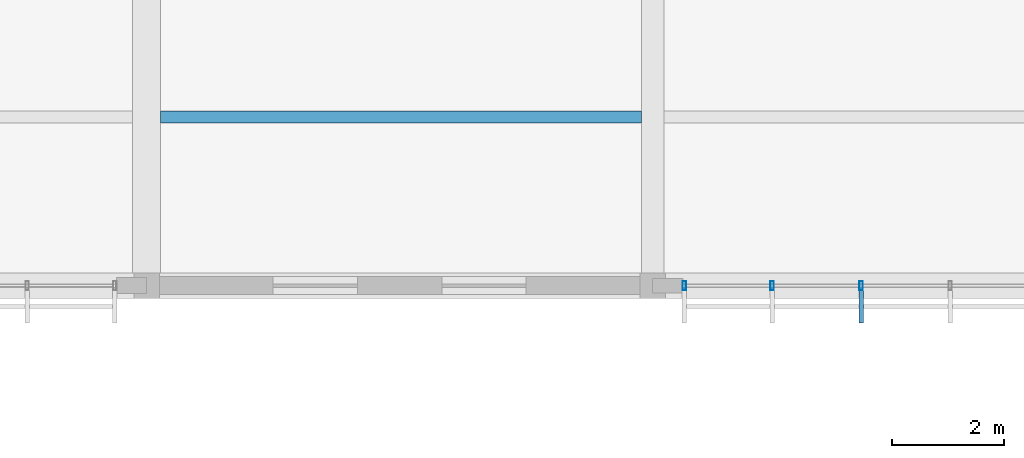
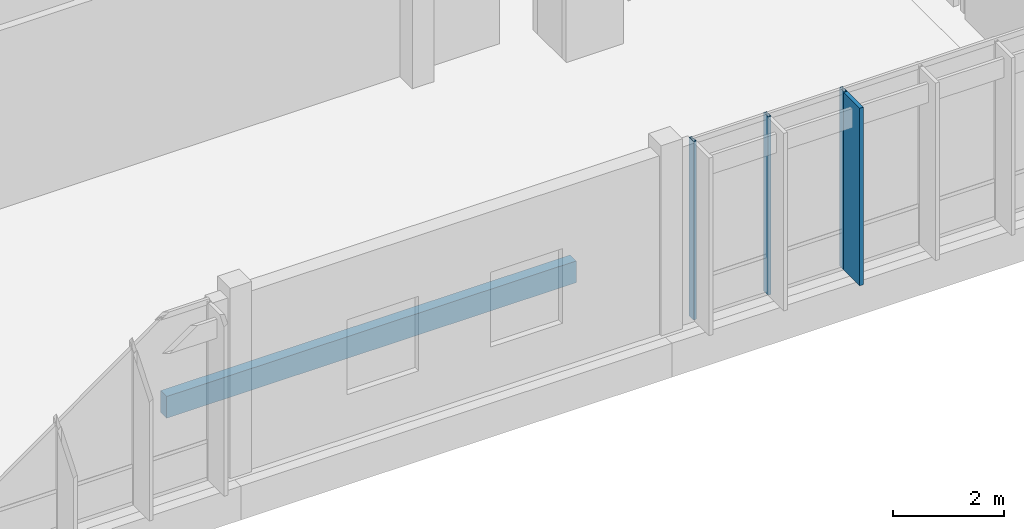
# One storey, part 46 of 94: 4 members, 1 beam, 1 element without a shape of its own.
"""IFC4 building model written with IfcOpenShell, lengths in metres."""

from ifc_helpers import new_model, si_unit, direction, frame, origin, origin_2d, place, context, subcontext, project, spatial, rectangle, hollow_rectangle, extrude, material, material_profile, profile_set, type_object, element, aggregate, save


model = new_model("IFC4")

# Units and contexts
model_context = context("Model", 3, precision=1e-05, world=origin(), true_north=direction((0.0, 1.0)))
body_context = subcontext(model_context, "Body", "Model", "MODEL_VIEW")
ifc_project = project(units=[si_unit("LENGTHUNIT", "METRE"), si_unit("AREAUNIT", "SQUARE_METRE"), si_unit("VOLUMEUNIT", "CUBIC_METRE"), si_unit("PLANEANGLEUNIT", "RADIAN"), si_unit("MASSUNIT", "GRAM", prefix="KILO")], contexts=[model_context])

# Site, building, storey
site_placement = place(None, origin())
site = spatial("IfcSite", under=ifc_project, at=site_placement, CompositionType="ELEMENT")
building_placement = place(site_placement, origin())
building = spatial("IfcBuilding", under=site, at=building_placement, Name="Chiffa Square Polytechnic", CompositionType="ELEMENT")
storey_placement = place(building_placement, frame((0.0, 0.0, 18.0)))
storey = spatial("IfcBuildingStorey", under=building, at=storey_placement, Name="L04", CompositionType="ELEMENT", Elevation=18.0)

# Curtain wall, members
ifc_material_1 = material(Name="Aluminium EN AW-6060 T66 and glulam shading", Category="wood")
curtain_wall_type = type_object("IfcCurtainWallType", Name="CW-VERT-450X380", PredefinedType="USERDEFINED", material=ifc_material_1)
curtain_wall_placement = place(storey_placement, origin())
curtain_wall = element("IfcCurtainWall", 1, at=curtain_wall_placement, inside=storey, type_object=curtain_wall_type, Name="Curtain wall CW-V5-L04-242", ObjectType="CURTAIN WALL", PredefinedType="USERDEFINED")
ifc_material_2 = material(Name="Aluminium EN AW-6060 T66", Category="aluminium")
ifc_material_profile_1 = material_profile(ifc_material_2, hollow_rectangle(XDim=0.06005859375, YDim=0.159912109375, WallThickness=0.00390625, at=origin_2d()), Name="ALU 60x160x4")
ifc_profile_set_1 = profile_set([ifc_material_profile_1], Name="Aluminium EN AW-6060 T66")
member_type_1 = type_object("IfcMemberType", Name="CWM-ALU-65X150", PredefinedType="MULLION", material=ifc_profile_set_1)
member_1_placement = place(storey_placement, frame((76.1650390625, 103.800048828125, 0.0), z_axis=(0.0, 0.0, 1.0), x_axis=(1.0, 0.0, 0.0)))
member_1 = element("IfcMember", 2, at=member_1_placement, type_object=member_type_1, Name="Curtain wall mullion CW-V5-L04-242-M00", PredefinedType="MULLION", context=body_context, shape_type="SweptSolid", body=[
    extrude(hollow_rectangle(XDim=0.06005859375, YDim=0.159912109375, WallThickness=0.00390625, at=origin_2d()), origin(), (0.0, 0.0, 1.0), 3.93994140625),
])
member_2_placement = place(storey_placement, frame((77.72412109375, 103.800048828125, 0.0), z_axis=(0.0, 0.0, 1.0), x_axis=(1.0, 0.0, 0.0)))
member_2 = element("IfcMember", 3, at=member_2_placement, type_object=member_type_1, Name="Curtain wall mullion CW-V5-L04-242-M01", PredefinedType="MULLION", context=body_context, shape_type="SweptSolid", body=[
    extrude(hollow_rectangle(XDim=0.06005859375, YDim=0.159912109375, WallThickness=0.00390625, at=origin_2d()), origin(), (0.0, 0.0, 1.0), 3.93994140625),
])
member_3_placement = place(storey_placement, frame((79.30810546875, 103.800048828125, 0.0), z_axis=(0.0, 0.0, 1.0), x_axis=(1.0, 0.0, 0.0)))
member_3 = element("IfcMember", 4, at=member_3_placement, type_object=member_type_1, Name="Curtain wall mullion CW-V5-L04-242-M02", PredefinedType="MULLION", context=body_context, shape_type="SweptSolid", body=[
    extrude(hollow_rectangle(XDim=0.06005859375, YDim=0.159912109375, WallThickness=0.00390625, at=origin_2d()), origin(), (0.0, 0.0, 1.0), 3.93994140625),
])
ifc_material_3 = material(Name="Glulam GL28h", Category="wood")
ifc_material_profile_2 = material_profile(ifc_material_3, rectangle(XDim=0.080078125, YDim=0.580078125, at=origin_2d()), Name="GL28h 80x580")
ifc_profile_set_2 = profile_set([ifc_material_profile_2], Name="Glulam GL28h")
member_type_2 = type_object("IfcMemberType", Name="CWM-GL-80X580", PredefinedType="MULLION", material=ifc_profile_set_2)
member_4_placement = place(storey_placement, frame((79.30810546875, 103.427978515625, 0.010009765625), z_axis=(0.0, 0.0, 1.0), x_axis=(1.0, 0.0, 0.0)))
member_4 = element("IfcMember", 5, at=member_4_placement, type_object=member_type_2, Name="Exterior glulam solar fin CW-V5-L04-242-FN02", PredefinedType="MULLION", context=body_context, shape_type="SweptSolid", body=[
    extrude(rectangle(XDim=0.080078125, YDim=0.580078125, at=origin_2d()), origin(), (0.0, 0.0, 1.0), 3.919921875),
])
aggregate(curtain_wall, [member_1, member_2, member_3, member_4])

# Beam
ifc_material_profile_3 = material_profile(ifc_material_3, rectangle(XDim=0.219970703125, YDim=0.47998046875, at=origin_2d()), Name="GL28h 220x480")
ifc_profile_set_3 = profile_set([ifc_material_profile_3], Name="Glulam GL28h")
beam_type = type_object("IfcBeamType", Name="JST-GL-220X480", PredefinedType="JOIST", material=ifc_profile_set_3)
beam_placement = place(storey_placement, frame((66.847900390625, 106.800048828125, -0.47998046875), z_axis=(1.0, 0.0, 0.0), x_axis=(0.0, 1.0, 0.0)))
element("IfcBeam", 6, at=beam_placement, inside=storey, type_object=beam_type, Name="Secondary floor joist JST-V5-L04-0666-1068", PredefinedType="JOIST", context=body_context, shape_type="SweptSolid", body=[
    extrude(rectangle(XDim=0.219970703125, YDim=0.47998046875, at=origin_2d()), origin(), (0.0, 0.0, 1.0), 8.55419921875),
])

save(model, "model.ifc")
